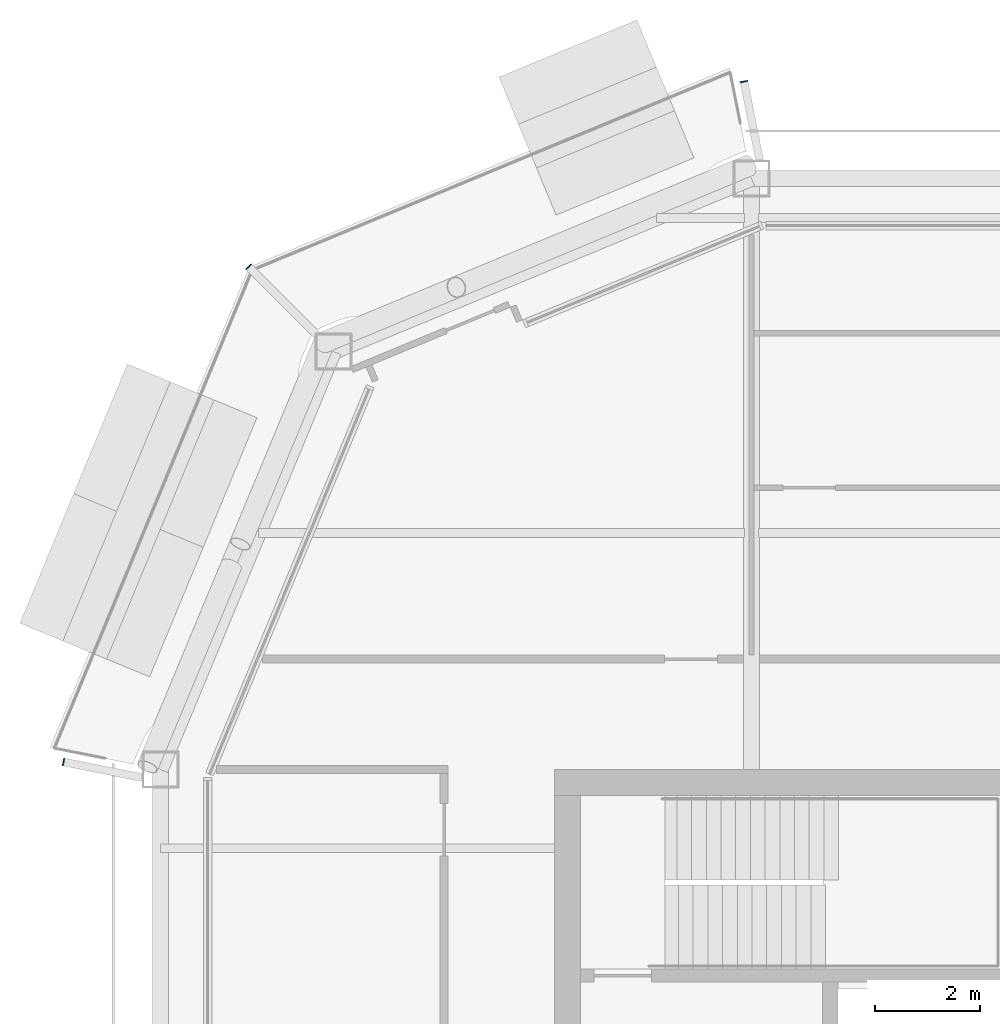
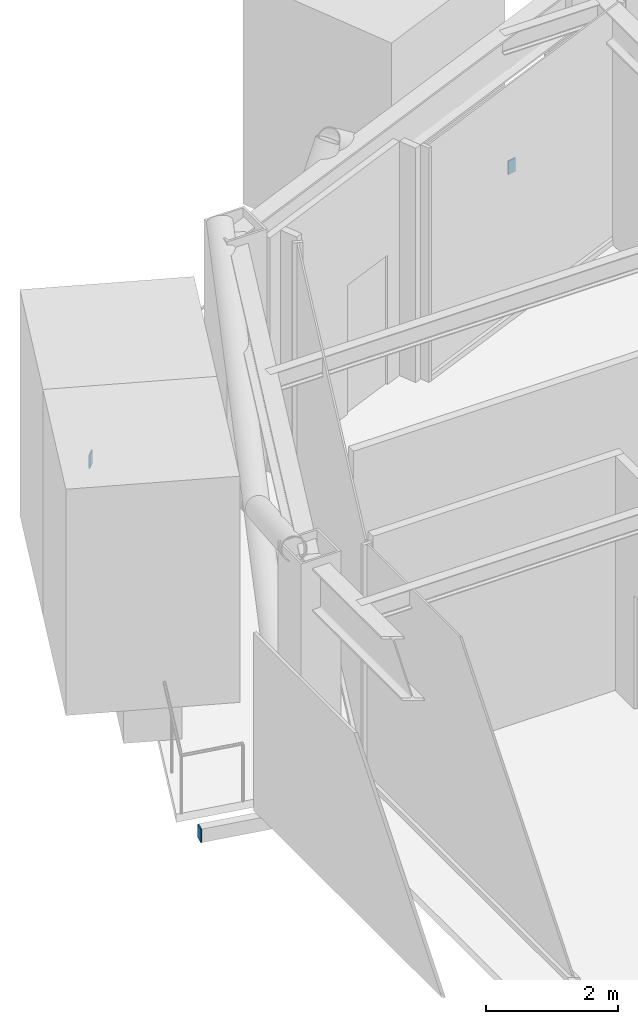
# One storey, part 16 of 22: 3 discrete accessories.
"""IFC4 building model written with IfcOpenShell, lengths in metres."""

from ifc_helpers import new_model, si_unit, direction, frame, origin, origin_2d, place, context, subcontext, project, spatial, rectangle, extrude, material, layer, layer_set, type_object, element, save


model = new_model("IFC4")

# Units and contexts
model_context = context("Model", 3, precision=1e-05, world=origin(), true_north=direction((0.0, 1.0)))
body_context = subcontext(model_context, "Body", "Model", "MODEL_VIEW")
ifc_project = project(units=[si_unit("LENGTHUNIT", "METRE"), si_unit("AREAUNIT", "SQUARE_METRE"), si_unit("VOLUMEUNIT", "CUBIC_METRE"), si_unit("PLANEANGLEUNIT", "RADIAN"), si_unit("MASSUNIT", "GRAM", prefix="KILO")], contexts=[model_context])

# Site, building, storey
site_placement = place(None, origin())
site = spatial("IfcSite", under=ifc_project, at=site_placement, CompositionType="ELEMENT")
building_placement = place(site_placement, origin())
building = spatial("IfcBuilding", under=site, at=building_placement, Name="Siwar Civic Tower", CompositionType="ELEMENT")
storey_placement = place(building_placement, frame((0.0, 0.0, 330.199951171875)))
storey = spatial("IfcBuildingStorey", under=building, at=storey_placement, Name="L71", CompositionType="ELEMENT", Elevation=330.199951171875)

# Discrete accessories
ifc_material = material(Name="Steel S355", Category="steel")
ifc_layer = layer(ifc_material, 0.02001953125)
ifc_layer_set = layer_set([ifc_layer], Name="Steel S355")
discrete_accessory_type = type_object("IfcDiscreteAccessoryType", Name="STR-END-CAP", PredefinedType="USERDEFINED", material=ifc_layer_set)
for number, where, z_axis, x_axis, name in (
    (1, (-13.642578125, 26.5947265625, -0.39990234375), (0.0, 0.0, 1.0), (-0.19509032205, 0.980785280396, 0.0), "End cap plate Balcony cantilever beam NW 1"),
    (2, (-23.0693359375, 23.0693359375, -0.39990234375), (0.0, 0.0, 1.0), (-0.707106781187, 0.707106781187, 0.0), "End cap plate Balcony cantilever beam NW 2"),
    (3, (-26.5947265625, 13.642578125, -0.39990234375), (0.0, 0.0, 1.0), (-0.980785280396, 0.19509032205, 0.0), "End cap plate Balcony cantilever beam NW 3"),
):
    element("IfcDiscreteAccessory", number, at=place(storey_placement, frame(where, z_axis=z_axis, x_axis=x_axis)), inside=storey, type_object=discrete_accessory_type, Name=name, ObjectType="END CAP PLATE", PredefinedType="USERDEFINED", context=body_context, shape_type="SweptSolid", body=[
        extrude(rectangle(XDim=0.02001953125, YDim=0.14990234375, at=origin_2d()), origin(), (0.0, 0.0, 1.0), 0.25),
    ])

save(model, "model.ifc")
